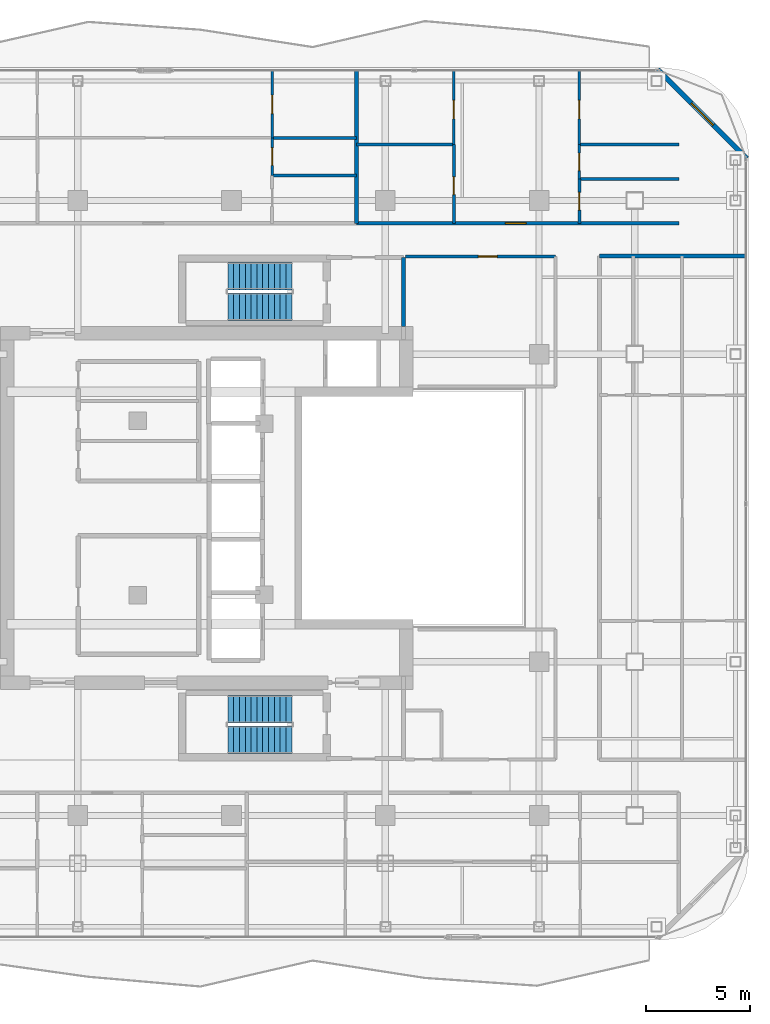
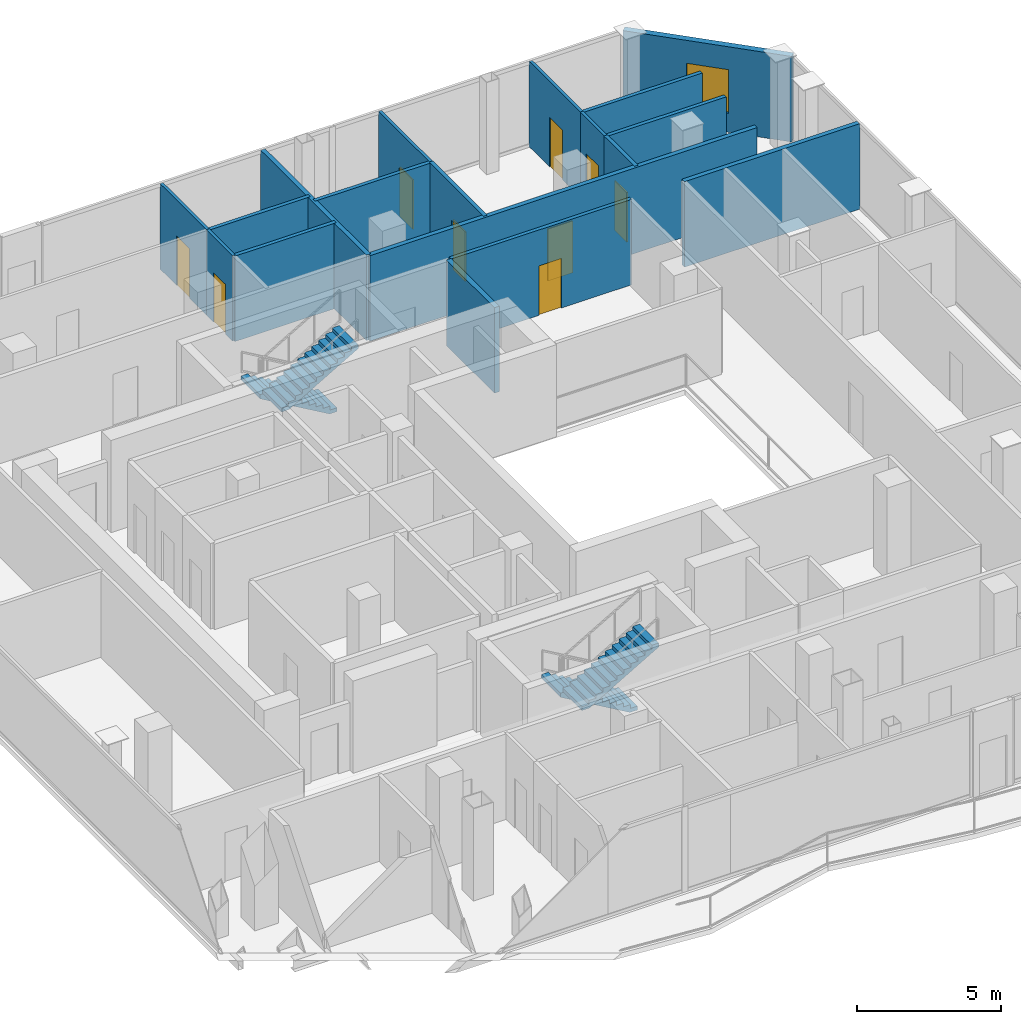
# One storey, part 19 of 22: 18 walls, 9 doors, 4 stair flights, 1 window, 10 openings, 2 elements without a shape of their own.
"""IFC4 building model written with IfcOpenShell, lengths in metres."""

import ifcopenshell
import ifcopenshell.guid

model = None  # the IFC model being written
_history = None  # IfcOwnerHistory: only IFC2X3 demands one
_inside = {}  # id of a spatial element -> (the spatial element, [elements in it])
_under = {}  # id of a project, library or spatial element -> (it, [spatial elements below it])
_declared = {}  # id of a project -> (the project, [libraries it declares])
_typed = {}  # id of a type object -> (the type object, [elements of that type])
_made_of = {}  # id of a material, layer set ... -> (it, [elements and type objects made of it])


def new_model(schema):
    """Start an empty IFC model of exactly this schema.

    Asked for "IFC4X3", IfcOpenShell would pick the latest addendum, in which some entities
    have other attributes; the version numbers below select the first issue.
    IFC2X3 requires an IfcOwnerHistory on every rooted entity: one is made here for all.
    """
    global model, _history
    if schema == "IFC4X3":
        model = ifcopenshell.file(schema_version=(4, 3, 0, 0))
    else:
        model = ifcopenshell.file(schema=schema)
    _inside.clear()
    _under.clear()
    _declared.clear()
    _typed.clear()
    _made_of.clear()
    _history = None
    if model.schema == "IFC2X3":
        org = make("IfcOrganization", Name="unknown")
        user = make(
            "IfcPersonAndOrganization",
            ThePerson=make("IfcPerson", FamilyName="unknown"),
            TheOrganization=org,
        )
        app = make(
            "IfcApplication",
            ApplicationDeveloper=org,
            Version="unknown",
            ApplicationFullName="unknown",
            ApplicationIdentifier="unknown",
        )
        _history = make(
            "IfcOwnerHistory",
            OwningUser=user,
            OwningApplication=app,
            ChangeAction="ADDED",
            CreationDate=0,
        )
    return model


def make(cls, **values):
    """One entity of the class cls with the attributes given. An attribute that is None is left unset."""
    return model.create_entity(
        cls, **{name: value for name, value in values.items() if value is not None}
    )


def rooted(cls, **values):
    """An entity with a GlobalId (a new one), such as an element, a storey or a relation."""
    return make(cls, GlobalId=ifcopenshell.guid.new(), OwnerHistory=_history, **values)


def si_unit(unit_type, name, prefix=None):
    """IfcSIUnit, for example si_unit("LENGTHUNIT", "METRE", prefix="MILLI")."""
    return make("IfcSIUnit", UnitType=unit_type, Prefix=prefix, Name=name)


def assignment(units):
    """IfcUnitAssignment: the units of a project."""
    return None if units is None else make("IfcUnitAssignment", Units=units)


def point(xyz):
    """IfcCartesianPoint."""
    return None if xyz is None else make("IfcCartesianPoint", Coordinates=xyz)


def direction(xyz):
    """IfcDirection."""
    return None if xyz is None else make("IfcDirection", DirectionRatios=xyz)


def frame(location, z_axis=None, x_axis=None):
    """IfcAxis2Placement3D, a coordinate frame: its origin and axes. An axis left out is left unset."""
    return make(
        "IfcAxis2Placement3D",
        Location=point(location),
        Axis=direction(z_axis),
        RefDirection=direction(x_axis),
    )


def frame_2d(location, x_axis=None):
    """IfcAxis2Placement2D, a coordinate frame in the plane: its origin and x axis."""
    return make(
        "IfcAxis2Placement2D", Location=point(location), RefDirection=direction(x_axis)
    )


def origin():
    """The frame at (0, 0, 0) with its axes left unset."""
    return frame((0.0, 0.0, 0.0))


def place(relative_to, where):
    """IfcLocalPlacement: puts the frame where relative to a parent placement (None: the world)."""
    return make(
        "IfcLocalPlacement", PlacementRelTo=relative_to, RelativePlacement=where
    )


def context(
    kind, dimensions, precision=None, world=None, true_north=None, identifier=None
):
    """IfcGeometricRepresentationContext, for example the 3D "Model" context."""
    return make(
        "IfcGeometricRepresentationContext",
        ContextIdentifier=identifier,
        ContextType=kind,
        CoordinateSpaceDimension=dimensions,
        Precision=precision,
        WorldCoordinateSystem=world,
        TrueNorth=true_north,
    )


def subcontext(parent, identifier, kind, view, scale=None):
    """IfcGeometricRepresentationSubContext, for example "Body" below "Model"."""
    return make(
        "IfcGeometricRepresentationSubContext",
        ContextIdentifier=identifier,
        ContextType=kind,
        ParentContext=parent,
        TargetScale=scale,
        TargetView=view,
    )


def project(units=None, contexts=None):
    """IfcProject with its units and contexts."""
    return rooted(
        "IfcProject",
        Name="project",
        RepresentationContexts=contexts,
        UnitsInContext=assignment(units),
    )


def spatial(cls, under=None, at=None, **own):
    """A site, building, storey or space (cls), placed at a placement, below another one or the project."""
    s = rooted(cls, ObjectPlacement=at, **own)
    if under is not None:
        _under.setdefault(under.id(), (under, []))[1].append(s)
    return s


def polyline(points):
    """IfcPolyline through the points."""
    return make("IfcPolyline", Points=[point(p) for p in points])


def profile(cls, at=None, kind="AREA", **sizes):
    """A parametric profile (cls). Its sizes go by their IFC names, for example OverallWidth=200.0."""
    return make(cls, ProfileType=kind, Position=at, **sizes)


def rectangle(**sizes):
    """IfcRectangleProfileDef."""
    return profile("IfcRectangleProfileDef", **sizes)


def outline(outer, holes=None, kind="AREA"):
    """IfcArbitraryClosedProfileDef: a profile drawn as a closed curve; with holes, ...WithVoids."""
    if holes is None:
        return make("IfcArbitraryClosedProfileDef", ProfileType=kind, OuterCurve=outer)
    return make(
        "IfcArbitraryProfileDefWithVoids",
        ProfileType=kind,
        OuterCurve=outer,
        InnerCurves=holes,
    )


def extrude(swept, where, along, depth):
    """IfcExtrudedAreaSolid: the profile swept, set in the frame where, extruded along a direction by depth."""
    return make(
        "IfcExtrudedAreaSolid",
        SweptArea=swept,
        Position=where,
        ExtrudedDirection=direction(along),
        Depth=depth,
    )


def shape(context_of_items, identifier, shape_type, items):
    """IfcShapeRepresentation: the items that make up one representation, for example the "Body"."""
    return make(
        "IfcShapeRepresentation",
        ContextOfItems=context_of_items,
        RepresentationIdentifier=identifier,
        RepresentationType=shape_type,
        Items=items,
    )


def material(Name=None, Category=None):
    """IfcMaterial."""
    return make("IfcMaterial", Name=Name, Category=Category)


def layer(
    of_material, thickness, ventilated=None, Name=None, Category=None, Priority=None
):
    """IfcMaterialLayer: one layer of a wall or slab, of a material (None: an air gap)."""
    return make(
        "IfcMaterialLayer",
        Material=of_material,
        LayerThickness=thickness,
        IsVentilated=ventilated,
        Name=Name,
        Category=Category,
        Priority=Priority,
    )


def layer_set(layers, Name=None):
    """IfcMaterialLayerSet."""
    return make("IfcMaterialLayerSet", MaterialLayers=layers, LayerSetName=Name)


def made_of(thing, what):
    """Note that an element or type object is made of a material, layer set ...; save() writes the relation."""
    if what is not None:
        _made_of.setdefault(what.id(), (what, []))[1].append(thing)
    return thing


def type_object(cls, material=None, **own):
    """A type object (cls), such as IfcWallType, which elements share."""
    return made_of(rooted(cls, **own), material)


def element(
    cls,
    number,
    at=None,
    inside=None,
    cuts=None,
    type_object=None,
    material=None,
    context=None,
    identifier="Body",
    shape_type=None,
    held_by="IfcProductDefinitionShape",
    body=None,
    shapes=None,
    **own,
):
    """One element of the class cls, such as IfcWall. Its Tag is "e" and its number.

    at: its placement. inside: the storey or other place that contains it. cuts: it is an
    opening in that element (IfcRelVoidsElement). A single representation is given by context,
    identifier, shape_type and body (its items); several are given by shapes. held_by: the class
    of the entity that holds the representations. save() writes the other relations.
    """
    e = rooted(cls, Tag="e%d" % number, ObjectPlacement=at, **own)
    if body is not None:
        shapes = [shape(context, identifier, shape_type, body)]
    if shapes is not None:
        e.Representation = make(held_by, Representations=shapes)
    if inside is not None:
        _inside.setdefault(inside.id(), (inside, []))[1].append(e)
    if cuts is not None:
        rooted(
            "IfcRelVoidsElement", RelatingBuildingElement=cuts, RelatedOpeningElement=e
        )
    if type_object is not None:
        _typed.setdefault(type_object.id(), (type_object, []))[1].append(e)
    return made_of(e, material)


def fill(opening, filler):
    """IfcRelFillsElement: the door or window that sits in an opening."""
    return rooted(
        "IfcRelFillsElement",
        RelatingOpeningElement=opening,
        RelatedBuildingElement=filler,
    )


def aggregate(whole, parts):
    """IfcRelAggregates: a whole, such as a stair, and the parts it consists of."""
    return rooted("IfcRelAggregates", RelatingObject=whole, RelatedObjects=parts)


def save(model, path):
    """Write the relations noted so far, then the file.

    IfcRelAggregates (storeys below a building ...), IfcRelContainedInSpatialStructure (elements
    in a storey), IfcRelDefinesByType, IfcRelAssociatesMaterial and IfcRelDeclares: one each for
    every whole, place, type object, material and project.
    """
    for whole, parts in _under.values():
        aggregate(whole, parts)
    for where, things in _inside.values():
        rooted(
            "IfcRelContainedInSpatialStructure",
            RelatedElements=things,
            RelatingStructure=where,
        )
    for kind, things in _typed.values():
        rooted("IfcRelDefinesByType", RelatedObjects=things, RelatingType=kind)
    for what, things in _made_of.values():
        rooted("IfcRelAssociatesMaterial", RelatedObjects=things, RelatingMaterial=what)
    for by, libraries in _declared.values():
        rooted("IfcRelDeclares", RelatingContext=by, RelatedDefinitions=libraries)
    model.write(path)


model = new_model("IFC4")

# Units and contexts
model_context = context("Model", 3, precision=1e-05, world=origin(), true_north=direction((0.0, 1.0)))
body_context = subcontext(model_context, "Body", "Model", "MODEL_VIEW")
ifc_project = project(units=[si_unit("LENGTHUNIT", "METRE"), si_unit("AREAUNIT", "SQUARE_METRE"), si_unit("VOLUMEUNIT", "CUBIC_METRE"), si_unit("PLANEANGLEUNIT", "RADIAN"), si_unit("MASSUNIT", "GRAM", prefix="KILO")], contexts=[model_context])

# Site, building, storey
site_placement = place(None, origin())
site = spatial("IfcSite", under=ifc_project, at=site_placement, CompositionType="ELEMENT")
building_placement = place(site_placement, origin())
building = spatial("IfcBuilding", under=site, at=building_placement, Name="Khorvyn Point Tower", CompositionType="ELEMENT")
storey_placement = place(building_placement, frame((0.0, 0.0, 282.0)))
storey = spatial("IfcBuildingStorey", under=building, at=storey_placement, Name="L69", CompositionType="ELEMENT", Elevation=282.0)

# Wall, opening, door
ifc_material_1 = material(Name="Double acoustic gypsum on twin steel stud", Category="steel")
ifc_layer_1 = layer(ifc_material_1, 0.179931640625)
ifc_layer_set_1 = layer_set([ifc_layer_1], Name="Acoustic Double-Stud Apartment Demising Wall 180")
wall_type_1 = type_object("IfcWallType", Name="Acoustic Double-Stud Apartment Demising Wall 180", PredefinedType="PARTITIONING", material=ifc_layer_set_1)
wall_1_placement = place(storey_placement, frame((6.013916015625, 13.699951171875, 0.0), z_axis=(0.0, 0.0, 1.0), x_axis=(1.0, 0.0, 0.0)))
wall_1 = element("IfcWall", 1, at=wall_1_placement, inside=storey, type_object=wall_type_1, Name="Wall", PredefinedType="PARTITIONING", context=body_context, shape_type="SweptSolid", body=[
    extrude(rectangle(XDim=15.506103515625, YDim=0.179931640625, at=frame_2d((7.7529296875, 0.0))), origin(), (0.0, 0.0, 1.0), 3.6201171875),
])
opening_1_placement = place(wall_1_placement, frame((7.1630859375, 0.0, 0.0)))
opening_1 = element("IfcOpeningElement", 2, at=opening_1_placement, cuts=wall_1, Name="Opening ID-AP60", PredefinedType="OPENING", context=body_context, shape_type="SweptSolid", body=[
    extrude(rectangle(XDim=1.0, YDim=2.199951171875, at=frame_2d((0.5, 1.10009765625))), frame((0.0, 0.099853515625, 0.0), z_axis=(0.0, -1.0, 0.0), x_axis=(1.0, 0.0, 0.0)), (0.0, 0.0, 1.0), 0.199951171875),
])
ifc_material_2 = material(Name="Engineered hardwood fire-rated leaf", Category="wood")
door_type_1 = type_object("IfcDoorType", Name="Acoustic Solid-Core Timber Apartment Entrance Door 1000x2200", OperationType="NOTDEFINED", PredefinedType="DOOR", material=ifc_material_2)
door_1_placement = place(opening_1_placement, origin())
door_1 = element("IfcDoor", 3, at=door_1_placement, inside=storey, type_object=door_type_1, Name="Door", OperationType="SINGLE_SWING_RIGHT", OverallHeight=2.199951171875, OverallWidth=1.0, PredefinedType="DOOR", context=body_context, shape_type="SweptSolid", body=[
    extrude(rectangle(XDim=1.0, YDim=2.199951171875, at=frame_2d((0.5, 1.10009765625))), frame((0.0, 0.02490234375, 0.0), z_axis=(0.0, -1.0, 0.0), x_axis=(1.0, 0.0, 0.0)), (0.0, 0.0, 1.0), 0.050048828125),
])
fill(opening_1, door_1)

# Walls
wall_2_placement = place(storey_placement, frame((6.013916015625, 13.699951171875, 0.0), z_axis=(0.0, 0.0, 1.0), x_axis=(0.0, 1.0, 0.0)))
element("IfcWall", 4, at=wall_2_placement, inside=storey, type_object=wall_type_1, Name="Wall", PredefinedType="PARTITIONING", context=body_context, shape_type="SweptSolid", body=[
    extrude(rectangle(XDim=7.330078125, YDim=0.179931640625, at=frame_2d((3.6650390625, 0.0))), origin(), (0.0, 0.0, 1.0), 3.6201171875),
])
wall_3_placement = place(storey_placement, frame((17.699951171875, 12.1201171875, 0.0), z_axis=(0.0, 0.0, 1.0), x_axis=(1.0, 0.0, 0.0)))
element("IfcWall", 5, at=wall_3_placement, inside=storey, type_object=wall_type_1, Name="Wall", PredefinedType="PARTITIONING", context=body_context, shape_type="SweptSolid", body=[
    extrude(rectangle(XDim=7.030029296875, YDim=0.179931640625, at=frame_2d((3.51513671875, 0.0))), origin(), (0.0, 0.0, 1.0), 3.6201171875),
])

# Wall, opening, window
ifc_material_3 = material(Name="Pale anodised aluminium rainscreen on steel stud", Category="steel")
ifc_layer_2 = layer(ifc_material_3, 0.239990234375)
ifc_layer_set_2 = layer_set([ifc_layer_2], Name="Anodised Aluminium Insulated Corner Spandrel Wall 240")
wall_type_2 = type_object("IfcWallType", Name="Anodised Aluminium Insulated Corner Spandrel Wall 240", PredefinedType="SOLIDWALL", material=ifc_layer_set_2)
wall_4_placement = place(storey_placement, frame((20.507568359375, 21.09228515625, 0.0), z_axis=(0.0, 0.0, 1.0), x_axis=(0.707126925818, -0.707086635981, 0.0)))
wall_4 = element("IfcWall", 6, at=wall_4_placement, inside=storey, type_object=wall_type_2, Name="L69 Rounded Corner Wall NE", PredefinedType="SOLIDWALL", context=body_context, shape_type="SweptSolid", body=[
    extrude(rectangle(XDim=6.0595703125, YDim=0.239990234375, at=frame_2d((3.02978515625, 0.0))), origin(), (0.0, 0.0, 1.0), 3.6201171875),
])
opening_2_placement = place(wall_4_placement, frame((2.27978515625, 0.0, 0.800048828125)))
opening_2 = element("IfcOpeningElement", 7, at=opening_2_placement, cuts=wall_4, Name="Opening WN-1518", PredefinedType="OPENING", context=body_context, shape_type="SweptSolid", body=[
    extrude(rectangle(XDim=1.5, YDim=1.85009765625, at=frame_2d((0.75, 0.925048828125))), frame((0.0, 0.1298828125, 0.0), z_axis=(0.0, -1.0, 0.0), x_axis=(1.0, 0.0, 0.0)), (0.0, 0.0, 1.0), 0.260009765625),
])
ifc_material_4 = material(Name="Anodised aluminium 6063-T6 and laminated Low-E glass", Category="aluminium")
window_type = type_object("IfcWindowType", Name="Anodised Aluminium Rounded-Corner Panoramic Window 1500x1850", PartitioningType="SINGLE_PANEL", PredefinedType="WINDOW", material=ifc_material_4)
window_placement = place(opening_2_placement, origin())
window = element("IfcWindow", 8, at=window_placement, inside=storey, type_object=window_type, Name="L69 Corner Panoramic Window NE", OverallHeight=1.85009765625, OverallWidth=1.5, PartitioningType="SINGLE_PANEL", PredefinedType="WINDOW", context=body_context, shape_type="SweptSolid", body=[
    extrude(rectangle(XDim=1.5, YDim=1.85009765625, at=frame_2d((0.75, 0.925048828125))), frame((0.0, 0.030029296875, 0.0), z_axis=(0.0, -1.0, 0.0), x_axis=(1.0, 0.0, 0.0)), (0.0, 0.0, 1.0), 0.06005859375),
])
fill(opening_2, window)

# Wall
ifc_material_5 = material(Name="Concrete C40/50", Category="concrete")
ifc_layer_3 = layer(ifc_material_5, 0.199951171875)
ifc_layer_set_3 = layer_set([ifc_layer_3], Name="Concrete C40/50 Fire-Lobby Compartment Wall 200")
wall_type_3 = type_object("IfcWallType", Name="Concrete C40/50 Fire-Lobby Compartment Wall 200", PredefinedType="SOLIDWALL", material=ifc_layer_set_3)
wall_5_placement = place(storey_placement, frame((8.280029296875, 8.72509765625, 0.0), z_axis=(0.0, 0.0, 1.0), x_axis=(0.0, 1.0, 0.0)))
element("IfcWall", 9, at=wall_5_placement, inside=storey, type_object=wall_type_3, Name="Wall", PredefinedType="SOLIDWALL", context=body_context, shape_type="SweptSolid", body=[
    extrude(rectangle(XDim=3.3349609375, YDim=0.199951171875, at=frame_2d((1.66748046875, 0.0))), origin(), (0.0, 0.0, 1.0), 3.6201171875),
])

# Wall, opening, door
ifc_material_6 = material(Name="Gypsum plasterboard on steel stud", Category="steel")
ifc_layer_4 = layer(ifc_material_6, 0.1201171875)
ifc_layer_set_4 = layer_set([ifc_layer_4], Name="Gypsum Acoustic Stud Room Partition Wall 120")
wall_type_4 = type_object("IfcWallType", Name="Gypsum Acoustic Stud Room Partition Wall 120", PredefinedType="PARTITIONING", material=ifc_layer_set_4)
wall_6_placement = place(storey_placement, frame((1.952880859375, 16.001953125, 0.0), z_axis=(0.0, 0.0, 1.0), x_axis=(0.0, 1.0, 0.0)))
wall_6 = element("IfcWall", 10, at=wall_6_placement, inside=storey, type_object=wall_type_4, Name="Wall", PredefinedType="PARTITIONING", context=body_context, shape_type="SweptSolid", body=[
    extrude(rectangle(XDim=1.80810546875, YDim=0.1201171875, at=frame_2d((0.904052734375, 0.0))), origin(), (0.0, 0.0, 1.0), 3.6201171875),
])
opening_3_placement = place(wall_6_placement, frame((0.47900390625, 0.0, 0.0)))
opening_3 = element("IfcOpeningElement", 11, at=opening_3_placement, cuts=wall_6, Name="Opening ID-WC85", PredefinedType="OPENING", context=body_context, shape_type="SweptSolid", body=[
    extrude(rectangle(XDim=0.85009765625, YDim=2.10009765625, at=frame_2d((0.425048828125, 1.050048828125))), frame((0.0, 0.070068359375, 0.0), z_axis=(0.0, -1.0, 0.0), x_axis=(1.0, 0.0, 0.0)), (0.0, 0.0, 1.0), 0.14013671875),
])
ifc_material_7 = material(Name="High-pressure laminate on moisture-resistant core", Category="wood")
door_type_2 = type_object("IfcDoorType", Name="Moisture-Resistant Accessible Washroom Door 850x2100", OperationType="NOTDEFINED", PredefinedType="DOOR", material=ifc_material_7)
door_2_placement = place(opening_3_placement, origin())
door_2 = element("IfcDoor", 12, at=door_2_placement, inside=storey, type_object=door_type_2, Name="Door", OperationType="SINGLE_SWING_RIGHT", OverallHeight=2.10009765625, OverallWidth=0.85009765625, PredefinedType="DOOR", context=body_context, shape_type="SweptSolid", body=[
    extrude(rectangle(XDim=0.85009765625, YDim=2.10009765625, at=frame_2d((0.425048828125, 1.050048828125))), frame((0.0, 0.02490234375, 0.0), z_axis=(0.0, -1.0, 0.0), x_axis=(1.0, 0.0, 0.0)), (0.0, 0.0, 1.0), 0.050048828125),
])
fill(opening_3, door_2)

wall_7_placement = place(storey_placement, frame((1.952880859375, 17.81005859375, 0.0), z_axis=(0.0, 0.0, 1.0), x_axis=(0.0, 1.0, 0.0)))
wall_7 = element("IfcWall", 13, at=wall_7_placement, inside=storey, type_object=wall_type_4, Name="Wall", PredefinedType="PARTITIONING", context=body_context, shape_type="SweptSolid", body=[
    extrude(rectangle(XDim=3.219970703125, YDim=0.1201171875, at=frame_2d((1.60986328125, 0.0))), origin(), (0.0, 0.0, 1.0), 3.6201171875),
])
opening_4_placement = place(wall_7_placement, frame((1.159912109375, 0.0, 0.0)))
opening_4 = element("IfcOpeningElement", 14, at=opening_4_placement, cuts=wall_7, Name="Opening ID-RM90", PredefinedType="OPENING", context=body_context, shape_type="SweptSolid", body=[
    extrude(rectangle(XDim=0.89990234375, YDim=2.10009765625, at=frame_2d((0.449951171875, 1.050048828125))), frame((0.0, 0.070068359375, 0.0), z_axis=(0.0, -1.0, 0.0), x_axis=(1.0, 0.0, 0.0)), (0.0, 0.0, 1.0), 0.14013671875),
])
ifc_material_8 = material(Name="Engineered oak veneer timber", Category="wood")
door_type_3 = type_object("IfcDoorType", Name="Flush Engineered Timber Room Door 900x2100", OperationType="NOTDEFINED", PredefinedType="DOOR", material=ifc_material_8)
door_3_placement = place(opening_4_placement, origin())
door_3 = element("IfcDoor", 15, at=door_3_placement, inside=storey, type_object=door_type_3, Name="Door", OperationType="SINGLE_SWING_LEFT", OverallHeight=2.10009765625, OverallWidth=0.89990234375, PredefinedType="DOOR", context=body_context, shape_type="SweptSolid", body=[
    extrude(rectangle(XDim=0.89990234375, YDim=2.10009765625, at=frame_2d((0.449951171875, 1.050048828125))), frame((0.0, 0.02490234375, 0.0), z_axis=(0.0, -1.0, 0.0), x_axis=(1.0, 0.0, 0.0)), (0.0, 0.0, 1.0), 0.050048828125),
])
fill(opening_4, door_3)

wall_8_placement = place(storey_placement, frame((10.699951171875, 17.487060546875, 0.0), z_axis=(0.0, 0.0, 1.0), x_axis=(0.0, 1.0, 0.0)))
wall_8 = element("IfcWall", 16, at=wall_8_placement, inside=storey, type_object=wall_type_4, Name="Wall", PredefinedType="PARTITIONING", context=body_context, shape_type="SweptSolid", body=[
    extrude(rectangle(XDim=3.54296875, YDim=0.1201171875, at=frame_2d((1.771484375, 0.0))), origin(), (0.0, 0.0, 1.0), 3.6201171875),
])
opening_5_placement = place(wall_8_placement, frame((1.232177734375, 0.0, 0.0)))
opening_5 = element("IfcOpeningElement", 17, at=opening_5_placement, cuts=wall_8, Name="Opening ID-RM90", PredefinedType="OPENING", context=body_context, shape_type="SweptSolid", body=[
    extrude(rectangle(XDim=0.89990234375, YDim=2.10009765625, at=frame_2d((0.449951171875, 1.050048828125))), frame((0.0, 0.070068359375, 0.0), z_axis=(0.0, -1.0, 0.0), x_axis=(1.0, 0.0, 0.0)), (0.0, 0.0, 1.0), 0.14013671875),
])
door_4_placement = place(opening_5_placement, origin())
door_4 = element("IfcDoor", 18, at=door_4_placement, inside=storey, type_object=door_type_3, Name="Door", OperationType="SINGLE_SWING_RIGHT", OverallHeight=2.10009765625, OverallWidth=0.89990234375, PredefinedType="DOOR", context=body_context, shape_type="SweptSolid", body=[
    extrude(rectangle(XDim=0.89990234375, YDim=2.10009765625, at=frame_2d((0.449951171875, 1.050048828125))), frame((0.0, 0.02490234375, 0.0), z_axis=(0.0, -1.0, 0.0), x_axis=(1.0, 0.0, 0.0)), (0.0, 0.0, 1.0), 0.050048828125),
])
fill(opening_5, door_4)

wall_9_placement = place(storey_placement, frame((16.739013671875, 15.821044921875, 0.0), z_axis=(0.0, 0.0, 1.0), x_axis=(0.0, 1.0, 0.0)))
wall_9 = element("IfcWall", 19, at=wall_9_placement, inside=storey, type_object=wall_type_4, Name="Wall", PredefinedType="PARTITIONING", context=body_context, shape_type="SweptSolid", body=[
    extrude(rectangle(XDim=1.666015625, YDim=0.1201171875, at=frame_2d((0.8330078125, 0.0))), origin(), (0.0, 0.0, 1.0), 3.6201171875),
])
opening_6_placement = place(wall_9_placement, frame((0.407958984375, 0.0, 0.0)))
opening_6 = element("IfcOpeningElement", 20, at=opening_6_placement, cuts=wall_9, Name="Opening ID-WC85", PredefinedType="OPENING", context=body_context, shape_type="SweptSolid", body=[
    extrude(rectangle(XDim=0.85009765625, YDim=2.10009765625, at=frame_2d((0.425048828125, 1.050048828125))), frame((0.0, 0.070068359375, 0.0), z_axis=(0.0, -1.0, 0.0), x_axis=(1.0, 0.0, 0.0)), (0.0, 0.0, 1.0), 0.14013671875),
])
door_5_placement = place(opening_6_placement, origin())
door_5 = element("IfcDoor", 21, at=door_5_placement, inside=storey, type_object=door_type_2, Name="Door", OperationType="SINGLE_SWING_RIGHT", OverallHeight=2.10009765625, OverallWidth=0.85009765625, PredefinedType="DOOR", context=body_context, shape_type="SweptSolid", body=[
    extrude(rectangle(XDim=0.85009765625, YDim=2.10009765625, at=frame_2d((0.425048828125, 1.050048828125))), frame((0.0, 0.02490234375, 0.0), z_axis=(0.0, -1.0, 0.0), x_axis=(1.0, 0.0, 0.0)), (0.0, 0.0, 1.0), 0.050048828125),
])
fill(opening_6, door_5)

wall_10_placement = place(storey_placement, frame((16.739013671875, 17.487060546875, 0.0), z_axis=(0.0, 0.0, 1.0), x_axis=(0.0, 1.0, 0.0)))
wall_10 = element("IfcWall", 22, at=wall_10_placement, inside=storey, type_object=wall_type_4, Name="Wall", PredefinedType="PARTITIONING", context=body_context, shape_type="SweptSolid", body=[
    extrude(rectangle(XDim=3.54296875, YDim=0.1201171875, at=frame_2d((1.771484375, 0.0))), origin(), (0.0, 0.0, 1.0), 3.6201171875),
])
opening_7_placement = place(wall_10_placement, frame((1.232177734375, 0.0, 0.0)))
opening_7 = element("IfcOpeningElement", 23, at=opening_7_placement, cuts=wall_10, Name="Opening ID-RM90", PredefinedType="OPENING", context=body_context, shape_type="SweptSolid", body=[
    extrude(rectangle(XDim=0.89990234375, YDim=2.10009765625, at=frame_2d((0.449951171875, 1.050048828125))), frame((0.0, 0.070068359375, 0.0), z_axis=(0.0, -1.0, 0.0), x_axis=(1.0, 0.0, 0.0)), (0.0, 0.0, 1.0), 0.14013671875),
])
door_6_placement = place(opening_7_placement, origin())
door_6 = element("IfcDoor", 24, at=door_6_placement, inside=storey, type_object=door_type_3, Name="Door", OperationType="SINGLE_SWING_LEFT", OverallHeight=2.10009765625, OverallWidth=0.89990234375, PredefinedType="DOOR", context=body_context, shape_type="SweptSolid", body=[
    extrude(rectangle(XDim=0.89990234375, YDim=2.10009765625, at=frame_2d((0.449951171875, 1.050048828125))), frame((0.0, 0.02490234375, 0.0), z_axis=(0.0, -1.0, 0.0), x_axis=(1.0, 0.0, 0.0)), (0.0, 0.0, 1.0), 0.050048828125),
])
fill(opening_7, door_6)

ifc_material_9 = material(Name="Moisture-resistant gypsum and cement board", Category="gypsum")
ifc_layer_5 = layer(ifc_material_9, 0.14990234375)
ifc_layer_set_5 = layer_set([ifc_layer_5], Name="Moisture-Resistant Wet-Room Partition Wall 150")
wall_type_5 = type_object("IfcWallType", Name="Moisture-Resistant Wet-Room Partition Wall 150", PredefinedType="PARTITIONING", material=ifc_layer_set_5)
wall_11_placement = place(storey_placement, frame((8.360107421875, 12.10009765625, 0.0), z_axis=(0.0, 0.0, 1.0), x_axis=(1.0, 0.0, 0.0)))
wall_11 = element("IfcWall", 25, at=wall_11_placement, inside=storey, type_object=wall_type_5, Name="Wall", PredefinedType="PARTITIONING", context=body_context, shape_type="SweptSolid", body=[
    extrude(rectangle(XDim=7.219970703125, YDim=0.14990234375, at=frame_2d((3.60986328125, 0.0))), origin(), (0.0, 0.0, 1.0), 3.6201171875),
])
opening_8_placement = place(wall_11_placement, frame((3.512939453125, 0.0, 0.0)))
opening_8 = element("IfcOpeningElement", 26, at=opening_8_placement, cuts=wall_11, Name="Opening ID-RM90", PredefinedType="OPENING", context=body_context, shape_type="SweptSolid", body=[
    extrude(rectangle(XDim=0.89990234375, YDim=2.10009765625, at=frame_2d((0.449951171875, 1.050048828125))), frame((0.0, 0.0849609375, 0.0), z_axis=(0.0, -1.0, 0.0), x_axis=(1.0, 0.0, 0.0)), (0.0, 0.0, 1.0), 0.169921875),
])
door_7_placement = place(opening_8_placement, origin())
door_7 = element("IfcDoor", 27, at=door_7_placement, inside=storey, type_object=door_type_3, Name="Door", OperationType="SINGLE_SWING_RIGHT", OverallHeight=2.10009765625, OverallWidth=0.89990234375, PredefinedType="DOOR", context=body_context, shape_type="SweptSolid", body=[
    extrude(rectangle(XDim=0.89990234375, YDim=2.10009765625, at=frame_2d((0.449951171875, 1.050048828125))), frame((0.0, 0.02490234375, 0.0), z_axis=(0.0, -1.0, 0.0), x_axis=(1.0, 0.0, 0.0)), (0.0, 0.0, 1.0), 0.050048828125),
])
fill(opening_8, door_7)

wall_12_placement = place(storey_placement, frame((10.699951171875, 13.699951171875, 0.0), z_axis=(0.0, 0.0, 1.0), x_axis=(0.0, 1.0, 0.0)))
wall_12 = element("IfcWall", 28, at=wall_12_placement, inside=storey, type_object=wall_type_5, Name="Wall", PredefinedType="PARTITIONING", context=body_context, shape_type="SweptSolid", body=[
    extrude(rectangle(XDim=3.787109375, YDim=0.14990234375, at=frame_2d((1.8935546875, 0.0))), origin(), (0.0, 0.0, 1.0), 3.6201171875),
])
opening_9_placement = place(wall_12_placement, frame((1.38134765625, 0.0, 0.0)))
opening_9 = element("IfcOpeningElement", 29, at=opening_9_placement, cuts=wall_12, Name="Opening ID-WC85", PredefinedType="OPENING", context=body_context, shape_type="SweptSolid", body=[
    extrude(rectangle(XDim=0.85009765625, YDim=2.10009765625, at=frame_2d((0.425048828125, 1.050048828125))), frame((0.0, 0.0849609375, 0.0), z_axis=(0.0, -1.0, 0.0), x_axis=(1.0, 0.0, 0.0)), (0.0, 0.0, 1.0), 0.169921875),
])
door_8_placement = place(opening_9_placement, origin())
door_8 = element("IfcDoor", 30, at=door_8_placement, inside=storey, type_object=door_type_2, Name="Door", OperationType="SINGLE_SWING_LEFT", OverallHeight=2.10009765625, OverallWidth=0.85009765625, PredefinedType="DOOR", context=body_context, shape_type="SweptSolid", body=[
    extrude(rectangle(XDim=0.85009765625, YDim=2.10009765625, at=frame_2d((0.425048828125, 1.050048828125))), frame((0.0, 0.02490234375, 0.0), z_axis=(0.0, -1.0, 0.0), x_axis=(1.0, 0.0, 0.0)), (0.0, 0.0, 1.0), 0.050048828125),
])
fill(opening_9, door_8)

wall_13_placement = place(storey_placement, frame((16.739013671875, 13.699951171875, 0.0), z_axis=(0.0, 0.0, 1.0), x_axis=(0.0, 1.0, 0.0)))
wall_13 = element("IfcWall", 31, at=wall_13_placement, inside=storey, type_object=wall_type_5, Name="Wall", PredefinedType="PARTITIONING", context=body_context, shape_type="SweptSolid", body=[
    extrude(rectangle(XDim=2.12109375, YDim=0.14990234375, at=frame_2d((1.060546875, 0.0))), origin(), (0.0, 0.0, 1.0), 3.6201171875),
])
opening_10_placement = place(wall_13_placement, frame((0.635498046875, 0.0, 0.0)))
opening_10 = element("IfcOpeningElement", 32, at=opening_10_placement, cuts=wall_13, Name="Opening ID-WC85", PredefinedType="OPENING", context=body_context, shape_type="SweptSolid", body=[
    extrude(rectangle(XDim=0.85009765625, YDim=2.10009765625, at=frame_2d((0.425048828125, 1.050048828125))), frame((0.0, 0.0849609375, 0.0), z_axis=(0.0, -1.0, 0.0), x_axis=(1.0, 0.0, 0.0)), (0.0, 0.0, 1.0), 0.169921875),
])
door_9_placement = place(opening_10_placement, origin())
door_9 = element("IfcDoor", 33, at=door_9_placement, inside=storey, type_object=door_type_2, Name="Door", OperationType="SINGLE_SWING_LEFT", OverallHeight=2.10009765625, OverallWidth=0.85009765625, PredefinedType="DOOR", context=body_context, shape_type="SweptSolid", body=[
    extrude(rectangle(XDim=0.85009765625, YDim=2.10009765625, at=frame_2d((0.425048828125, 1.050048828125))), frame((0.0, 0.02490234375, 0.0), z_axis=(0.0, -1.0, 0.0), x_axis=(1.0, 0.0, 0.0)), (0.0, 0.0, 1.0), 0.050048828125),
])
fill(opening_10, door_9)

# Walls
for number, where, z_axis, x_axis, name in (
    (34, (1.952880859375, 16.001953125, 0.0), (0.0, 0.0, 1.0), (1.0, 0.0, 0.0), "Wall"),
    (35, (1.952880859375, 17.81005859375, 0.0), (0.0, 0.0, 1.0), (1.0, 0.0, 0.0), "Wall"),
):
    element("IfcWall", number, at=place(storey_placement, frame(where, z_axis=z_axis, x_axis=x_axis)), inside=storey, type_object=wall_type_5, Name=name, PredefinedType="PARTITIONING", context=body_context, shape_type="SweptSolid", body=[
        extrude(rectangle(XDim=4.06103515625, YDim=0.14990234375, at=frame_2d((2.030517578125, 0.0))), origin(), (0.0, 0.0, 1.0), 3.6201171875),
    ])
wall_14_placement = place(storey_placement, frame((6.013916015625, 17.487060546875, 0.0), z_axis=(0.0, 0.0, 1.0), x_axis=(1.0, 0.0, 0.0)))
element("IfcWall", 36, at=wall_14_placement, inside=storey, type_object=wall_type_5, Name="Wall", PredefinedType="PARTITIONING", context=body_context, shape_type="SweptSolid", body=[
    extrude(rectangle(XDim=4.68603515625, YDim=0.14990234375, at=frame_2d((2.343017578125, 0.0))), origin(), (0.0, 0.0, 1.0), 3.6201171875),
])
for number, where, z_axis, x_axis, name in (
    (37, (16.739013671875, 15.821044921875, 0.0), (0.0, 0.0, 1.0), (1.0, 0.0, 0.0), "Wall"),
    (38, (16.739013671875, 17.487060546875, 0.0), (0.0, 0.0, 1.0), (1.0, 0.0, 0.0), "Wall"),
):
    element("IfcWall", number, at=place(storey_placement, frame(where, z_axis=z_axis, x_axis=x_axis)), inside=storey, type_object=wall_type_5, Name=name, PredefinedType="PARTITIONING", context=body_context, shape_type="SweptSolid", body=[
        extrude(rectangle(XDim=4.781005859375, YDim=0.14990234375, at=frame_2d((2.390625, 0.0))), origin(), (0.0, 0.0, 1.0), 3.6201171875),
    ])

# Stair, stair flights
stair_type = type_object("IfcStairType", Name="Tower Concrete C40/50 Dogleg Exit Stair", PredefinedType="HALF_TURN_STAIR", material=ifc_material_5)
stair_1_placement = place(storey_placement, origin())
stair_1 = element("IfcStair", 39, at=stair_1_placement, inside=storey, type_object=stair_type, Name="L69 Tower Smokeproof Exit Stair South", PredefinedType="HALF_TURN_STAIR")
stair_flight_type = type_object("IfcStairFlightType", Name="Tower Concrete C40/50 Stair Flight", PredefinedType="STRAIGHT", material=ifc_material_5)
stair_flight_1_placement = place(storey_placement, frame((2.89990234375, -9.679931640625, 0.0), z_axis=(0.0, 0.0, 1.0), x_axis=(-1.0, 0.0, 0.0)))
stair_flight_1 = element("IfcStairFlight", 40, at=stair_flight_1_placement, type_object=stair_flight_type, Name="ST-01 flight 1", NumberOfRisers=12, NumberOfTreads=11, PredefinedType="STRAIGHT", RiserHeight=0.1625, TreadLength=0.28, context=body_context, shape_type="SweptSolid", body=[
    extrude(outline(polyline([(0.0, 0.0), (0.0, 0.16259765625), (0.280029296875, 0.16259765625), (0.280029296875, 0.324951171875), (0.56005859375, 0.324951171875), (0.56005859375, 0.487548828125), (0.840087890625, 0.487548828125), (0.840087890625, 0.64990234375), (1.1201171875, 0.64990234375), (1.1201171875, 0.8125), (1.39990234375, 0.8125), (1.39990234375, 0.97509765625), (1.679931640625, 0.97509765625), (1.679931640625, 1.137451171875), (1.9599609375, 1.137451171875), (1.9599609375, 1.300048828125), (2.239990234375, 1.300048828125), (2.239990234375, 1.46240234375), (2.52001953125, 1.46240234375), (2.52001953125, 1.625), (2.800048828125, 1.625), (2.800048828125, 1.78759765625), (3.080078125, 1.78759765625), (3.080078125, 1.949951171875), (3.080078125, 1.6142578125), (0.298583984375, 0.0), (0.0, 0.0)])), frame((0.0, 0.66015625, 0.0), z_axis=(0.0, -1.0, 0.0), x_axis=(1.0, 0.0, 0.0)), (0.0, 0.0, 1.0), 1.320068359375),
])
stair_flight_2_placement = place(storey_placement, frame((-0.179931640625, -11.159912109375, 1.949951171875), z_axis=(0.0, 0.0, 1.0), x_axis=(1.0, 0.0, 0.0)))
stair_flight_2 = element("IfcStairFlight", 41, at=stair_flight_2_placement, type_object=stair_flight_type, Name="ST-01 flight 2", NumberOfRisers=12, NumberOfTreads=11, PredefinedType="STRAIGHT", RiserHeight=0.1625, TreadLength=0.28, context=body_context, shape_type="SweptSolid", body=[
    extrude(outline(polyline([(0.0, 0.0), (0.0, 0.16259765625), (0.280029296875, 0.16259765625), (0.280029296875, 0.324951171875), (0.56005859375, 0.324951171875), (0.56005859375, 0.487548828125), (0.840087890625, 0.487548828125), (0.840087890625, 0.64990234375), (1.1201171875, 0.64990234375), (1.1201171875, 0.8125), (1.39990234375, 0.8125), (1.39990234375, 0.97509765625), (1.679931640625, 0.97509765625), (1.679931640625, 1.137451171875), (1.9599609375, 1.137451171875), (1.9599609375, 1.300048828125), (2.239990234375, 1.300048828125), (2.239990234375, 1.46240234375), (2.52001953125, 1.46240234375), (2.52001953125, 1.625), (2.800048828125, 1.625), (2.800048828125, 1.78759765625), (3.080078125, 1.78759765625), (3.080078125, 1.949951171875), (3.080078125, 1.6142578125), (0.298583984375, 0.0), (0.0, 0.0)])), frame((0.0, 0.66015625, 0.0), z_axis=(0.0, -1.0, 0.0), x_axis=(1.0, 0.0, 0.0)), (0.0, 0.0, 1.0), 1.320068359375),
])
aggregate(stair_1, [stair_flight_1, stair_flight_2])

stair_2_placement = place(storey_placement, origin())
stair_2 = element("IfcStair", 42, at=stair_2_placement, inside=storey, type_object=stair_type, Name="L69 Tower Smokeproof Exit Stair North", PredefinedType="HALF_TURN_STAIR")
stair_flight_3_placement = place(storey_placement, frame((2.89990234375, 11.159912109375, 0.0), z_axis=(0.0, 0.0, 1.0), x_axis=(-1.0, 0.0, 0.0)))
stair_flight_3 = element("IfcStairFlight", 43, at=stair_flight_3_placement, type_object=stair_flight_type, Name="ST-02 flight 1", NumberOfRisers=12, NumberOfTreads=11, PredefinedType="STRAIGHT", RiserHeight=0.1625, TreadLength=0.28, context=body_context, shape_type="SweptSolid", body=[
    extrude(outline(polyline([(0.0, 0.0), (0.0, 0.16259765625), (0.280029296875, 0.16259765625), (0.280029296875, 0.324951171875), (0.56005859375, 0.324951171875), (0.56005859375, 0.487548828125), (0.840087890625, 0.487548828125), (0.840087890625, 0.64990234375), (1.1201171875, 0.64990234375), (1.1201171875, 0.8125), (1.39990234375, 0.8125), (1.39990234375, 0.97509765625), (1.679931640625, 0.97509765625), (1.679931640625, 1.137451171875), (1.9599609375, 1.137451171875), (1.9599609375, 1.300048828125), (2.239990234375, 1.300048828125), (2.239990234375, 1.46240234375), (2.52001953125, 1.46240234375), (2.52001953125, 1.625), (2.800048828125, 1.625), (2.800048828125, 1.78759765625), (3.080078125, 1.78759765625), (3.080078125, 1.949951171875), (3.080078125, 1.6142578125), (0.298583984375, 0.0), (0.0, 0.0)])), frame((0.0, 0.66015625, 0.0), z_axis=(0.0, -1.0, 0.0), x_axis=(1.0, 0.0, 0.0)), (0.0, 0.0, 1.0), 1.320068359375),
])
stair_flight_4_placement = place(storey_placement, frame((-0.179931640625, 9.679931640625, 1.949951171875), z_axis=(0.0, 0.0, 1.0), x_axis=(1.0, 0.0, 0.0)))
stair_flight_4 = element("IfcStairFlight", 44, at=stair_flight_4_placement, type_object=stair_flight_type, Name="ST-02 flight 2", NumberOfRisers=12, NumberOfTreads=11, PredefinedType="STRAIGHT", RiserHeight=0.1625, TreadLength=0.28, context=body_context, shape_type="SweptSolid", body=[
    extrude(outline(polyline([(0.0, 0.0), (0.0, 0.16259765625), (0.280029296875, 0.16259765625), (0.280029296875, 0.324951171875), (0.56005859375, 0.324951171875), (0.56005859375, 0.487548828125), (0.840087890625, 0.487548828125), (0.840087890625, 0.64990234375), (1.1201171875, 0.64990234375), (1.1201171875, 0.8125), (1.39990234375, 0.8125), (1.39990234375, 0.97509765625), (1.679931640625, 0.97509765625), (1.679931640625, 1.137451171875), (1.9599609375, 1.137451171875), (1.9599609375, 1.300048828125), (2.239990234375, 1.300048828125), (2.239990234375, 1.46240234375), (2.52001953125, 1.46240234375), (2.52001953125, 1.625), (2.800048828125, 1.625), (2.800048828125, 1.78759765625), (3.080078125, 1.78759765625), (3.080078125, 1.949951171875), (3.080078125, 1.6142578125), (0.298583984375, 0.0), (0.0, 0.0)])), frame((0.0, 0.66015625, 0.0), z_axis=(0.0, -1.0, 0.0), x_axis=(1.0, 0.0, 0.0)), (0.0, 0.0, 1.0), 1.320068359375),
])
aggregate(stair_2, [stair_flight_3, stair_flight_4])

save(model, "model.ifc")
